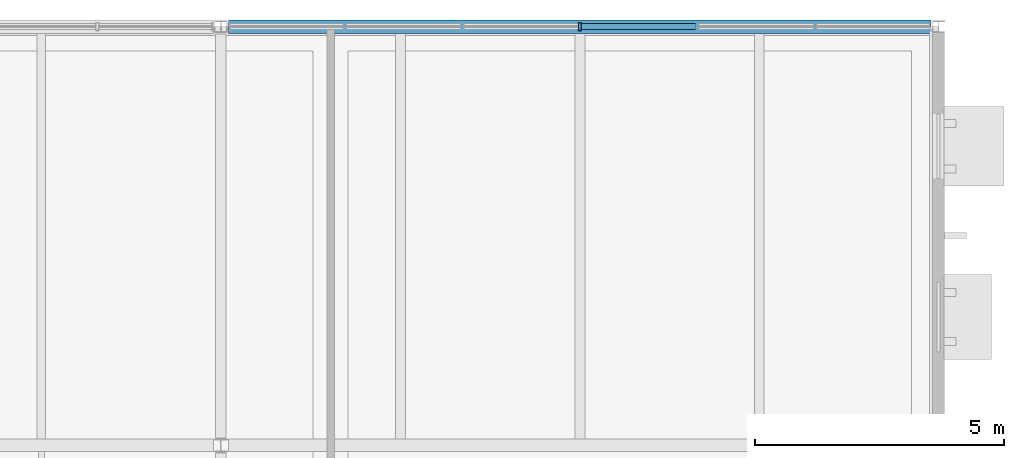
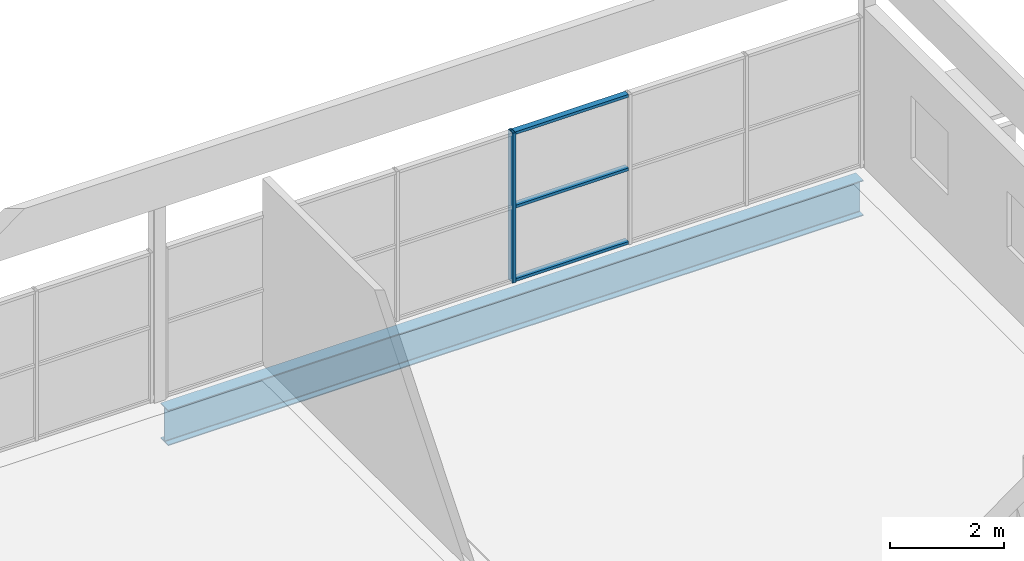
# One storey, part 35 of 43: 4 members, 1 beam, 1 element without a shape of its own.
"""IFC4 building model written with IfcOpenShell, lengths in metres."""

from ifc_helpers import new_model, si_unit, direction, frame, origin, origin_2d, place, context, subcontext, project, spatial, hollow_rectangle, i_section, extrude, material, material_profile, profile_set, type_object, element, aggregate, save


model = new_model("IFC4")

# Units and contexts
model_context = context("Model", 3, precision=1e-05, world=origin(), true_north=direction((0.0, 1.0)))
body_context = subcontext(model_context, "Body", "Model", "MODEL_VIEW")
ifc_project = project(units=[si_unit("LENGTHUNIT", "METRE"), si_unit("AREAUNIT", "SQUARE_METRE"), si_unit("VOLUMEUNIT", "CUBIC_METRE"), si_unit("PLANEANGLEUNIT", "RADIAN"), si_unit("MASSUNIT", "GRAM", prefix="KILO"), si_unit("THERMODYNAMICTEMPERATUREUNIT", "KELVIN")], contexts=[model_context])

# Site, building, storey
site_placement = place(None, origin())
site = spatial("IfcSite", under=ifc_project, at=site_placement, CompositionType="ELEMENT")
building_placement = place(site_placement, origin())
building = spatial("IfcBuilding", under=site, at=building_placement, Name="Nduvali Passage Aquatics Centre", CompositionType="ELEMENT")
storey_placement = place(building_placement, frame((0.0, 0.0, 17.39990234375)))
storey = spatial("IfcBuildingStorey", under=building, at=storey_placement, Name="L04", CompositionType="ELEMENT", Elevation=17.39990234375)

# Curtain wall, members
ifc_material_1 = material(Name="Aluminium EN AW-6063 T6", Category="aluminium")
curtain_wall_type = type_object("IfcCurtainWallType", Name="ENV-CW-WELL", PredefinedType="NOTDEFINED", material=ifc_material_1)
curtain_wall_placement = place(storey_placement, origin())
curtain_wall = element("IfcCurtainWall", 1, at=curtain_wall_placement, inside=storey, type_object=curtain_wall_type, Name="L04 North Avenue Recovery Lounge CW 116", PredefinedType="NOTDEFINED")
ifc_material_profile_1 = material_profile(ifc_material_1, hollow_rectangle(XDim=0.06005859375, YDim=0.159912109375, WallThickness=0.00390625, at=origin_2d()), Name="ALU MULLION 60x160x4")
ifc_profile_set_1 = profile_set([ifc_material_profile_1], Name="Aluminium EN AW-6063 T6")
member_type_1 = type_object("IfcMemberType", Name="ENV-MEM-MUL60", PredefinedType="MULLION", material=ifc_profile_set_1)
member_1_placement = place(storey_placement, frame((118.800048828125, 117.60009765625, 0.0), z_axis=(0.0, 0.0, 1.0), x_axis=(1.0, 0.0, 0.0)))
member_1 = element("IfcMember", 2, at=member_1_placement, type_object=member_type_1, Name="North Avenue Recovery Lounge CW Mullion 4", PredefinedType="MULLION", context=body_context, shape_type="SweptSolid", body=[
    extrude(hollow_rectangle(XDim=0.06005859375, YDim=0.159912109375, WallThickness=0.00390625, at=origin_2d()), origin(), (0.0, 0.0, 1.0), 3.2138671875),
])
ifc_material_profile_2 = material_profile(ifc_material_1, hollow_rectangle(XDim=0.1201171875, YDim=0.06005859375, WallThickness=0.00390625, at=origin_2d()), Name="ALU TRANSOM 120x60x4")
ifc_profile_set_2 = profile_set([ifc_material_profile_2], Name="Aluminium EN AW-6063 T6")
member_type_2 = type_object("IfcMemberType", Name="ENV-MEM-TRN60", PredefinedType="USERDEFINED", material=ifc_profile_set_2)
member_2_placement = place(storey_placement, frame((118.830078125, 117.60009765625, 0.030029296875), z_axis=(1.0, 0.0, 0.0), x_axis=(0.0, 1.0, 0.0)))
member_2 = element("IfcMember", 3, at=member_2_placement, type_object=member_type_2, Name="North Avenue Recovery Lounge CW Transom B4-R0", ObjectType="TRANSOM", PredefinedType="USERDEFINED", context=body_context, shape_type="SweptSolid", body=[
    extrude(hollow_rectangle(XDim=0.1201171875, YDim=0.06005859375, WallThickness=0.00390625, at=origin_2d()), origin(), (0.0, 0.0, 1.0), 2.2998046875),
])
member_3_placement = place(storey_placement, frame((118.830078125, 117.60009765625, 1.60693359375), z_axis=(1.0, 0.0, 0.0), x_axis=(0.0, 1.0, 0.0)))
member_3 = element("IfcMember", 4, at=member_3_placement, type_object=member_type_2, Name="North Avenue Recovery Lounge CW Transom B4-R1", ObjectType="TRANSOM", PredefinedType="USERDEFINED", context=body_context, shape_type="SweptSolid", body=[
    extrude(hollow_rectangle(XDim=0.1201171875, YDim=0.06005859375, WallThickness=0.00390625, at=origin_2d()), origin(), (0.0, 0.0, 1.0), 2.2998046875),
])
member_4_placement = place(storey_placement, frame((118.830078125, 117.60009765625, 3.183837890625), z_axis=(1.0, 0.0, 0.0), x_axis=(0.0, 1.0, 0.0)))
member_4 = element("IfcMember", 5, at=member_4_placement, type_object=member_type_2, Name="North Avenue Recovery Lounge CW Transom B4-R2", ObjectType="TRANSOM", PredefinedType="USERDEFINED", context=body_context, shape_type="SweptSolid", body=[
    extrude(hollow_rectangle(XDim=0.1201171875, YDim=0.06005859375, WallThickness=0.00390625, at=origin_2d()), origin(), (0.0, 0.0, 1.0), 2.2998046875),
])
aggregate(curtain_wall, [member_1, member_2, member_3, member_4])

# Beam
ifc_material_2 = material(Name="Steel S355", Category="steel")
ifc_material_profile_3 = material_profile(ifc_material_2, i_section(OverallWidth=0.2666015625, OverallDepth=0.76220703125, WebThickness=0.014404296875, FlangeThickness=0.021484375, FilletRadius=0.0166015625, at=origin_2d()), Name="UKB 762x267x173")
ifc_profile_set_3 = profile_set([ifc_material_profile_3], Name="Steel S355")
beam_type = type_object("IfcBeamType", Name="STR-BM-UKB762-EXT", PredefinedType="BEAM", material=ifc_profile_set_3)
beam_placement = place(storey_placement, frame((111.75, 117.60009765625, -0.614990234375), z_axis=(1.0, 0.0, 0.0), x_axis=(0.0, 1.0, 0.0)))
element("IfcBeam", 6, at=beam_placement, inside=storey, type_object=beam_type, Name="L04 Primary X-Girder B4CE-1352", PredefinedType="BEAM", context=body_context, shape_type="SweptSolid", body=[
    extrude(i_section(OverallWidth=0.2666015625, OverallDepth=0.76220703125, WebThickness=0.014404296875, FlangeThickness=0.021484375, FilletRadius=0.0166015625, at=origin_2d()), origin(), (0.0, 0.0, 1.0), 14.10009765625),
])

save(model, "model.ifc")
